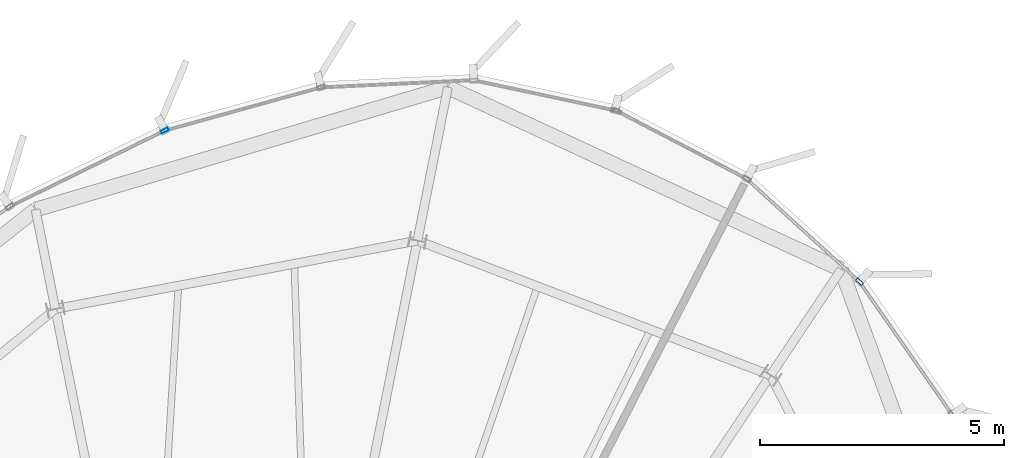
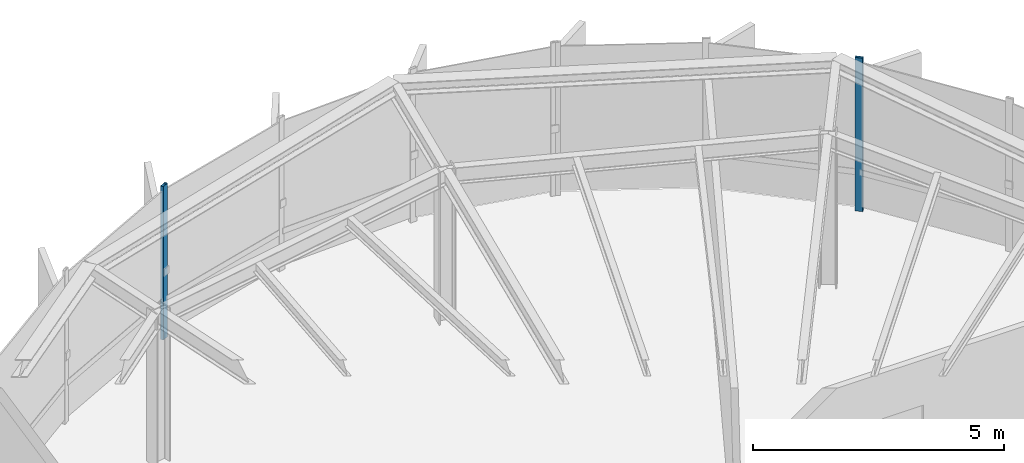
# One storey, part 17 of 26: 2 members, 2 elements without a shape of their own.
"""IFC4 building model written with IfcOpenShell, lengths in metres."""

from ifc_helpers import new_model, si_unit, direction, frame, origin, origin_2d, place, context, subcontext, project, spatial, hollow_rectangle, extrude, source, transform, mapped, material, layer, layer_set, material_profile, profile_set, type_object, element, aggregate, save


model = new_model("IFC4")

# Units and contexts
model_context = context("Model", 3, precision=1e-05, world=origin(), true_north=direction((0.0, 1.0)))
body_context = subcontext(model_context, "Body", "Model", "MODEL_VIEW")
ifc_project = project(units=[si_unit("LENGTHUNIT", "METRE"), si_unit("AREAUNIT", "SQUARE_METRE"), si_unit("VOLUMEUNIT", "CUBIC_METRE"), si_unit("PLANEANGLEUNIT", "RADIAN"), si_unit("MASSUNIT", "GRAM", prefix="KILO"), si_unit("THERMODYNAMICTEMPERATUREUNIT", "KELVIN")], contexts=[model_context])

# Site, building, storey
site_placement = place(None, origin())
site = spatial("IfcSite", under=ifc_project, at=site_placement, CompositionType="ELEMENT")
building_placement = place(site_placement, origin())
building = spatial("IfcBuilding", under=site, at=building_placement, Name="Kethvar Cultural Tower", CompositionType="ELEMENT")
storey_placement = place(building_placement, frame((0.0, 0.0, 316.300048828125)))
storey = spatial("IfcBuildingStorey", under=building, at=storey_placement, Name="L84", CompositionType="ELEMENT", Elevation=316.300048828125)

# Curtain wall, member
ifc_material = material(Name="Aluminium 6063-T6", Category="aluminium")
ifc_layer = layer(ifc_material, 0.179931640625, Name="Aluminium 6063-T6", Category="aluminium")
ifc_layer_set = layer_set([ifc_layer], Name="Aluminium 6063-T6 (180 mm)")
curtain_wall_type = type_object("IfcCurtainWallType", Name="CW-SYS-06-CROWN", PredefinedType="NOTDEFINED", material=ifc_layer_set)
curtain_wall_1_placement = place(storey_placement, origin())
curtain_wall_1 = element("IfcCurtainWall", 1, at=curtain_wall_1_placement, inside=storey, type_object=curtain_wall_type, Name="L84 Curtain Wall Run 01", PredefinedType="NOTDEFINED")
ifc_material_profile = material_profile(ifc_material, hollow_rectangle(XDim=0.06494140625, YDim=0.159912109375, WallThickness=0.0048828125, at=origin_2d()), Name="Aluminium 6063-T6 — RHS160x65x5")
ifc_profile_set = profile_set([ifc_material_profile], Name="Aluminium 6063-T6 — RHS160x65x5")
member_type = type_object("IfcMemberType", Name="CW-SYS-06-CROWN-MUL", PredefinedType="MULLION", material=ifc_profile_set)
shared_shape = source(origin(), body_context, "Body", "SweptSolid", [
    extrude(hollow_rectangle(XDim=0.06494140625, YDim=0.159912109375, WallThickness=0.0048828125, at=origin_2d()), origin(), (0.0, 0.0, 1.0), 3.73486328125),
])
member_1_placement = place(storey_placement, frame((45.473388671875, 49.384765625, 0.0), z_axis=(0.0, 0.0, 1.0), x_axis=(0.440550335873, -0.897727910651, 0.0)))
member_1 = element("IfcMember", 2, at=member_1_placement, type_object=member_type, Name="CW-L84-R01 Mullion 4", PredefinedType="MULLION", context=body_context, shape_type="MappedRepresentation", body=[
    mapped(shared_shape, transform((0.0, 0.0, 0.0), scale=1.0)),
])
aggregate(curtain_wall_1, [member_1])

curtain_wall_2_placement = place(storey_placement, origin())
curtain_wall_2 = element("IfcCurtainWall", 3, at=curtain_wall_2_placement, inside=storey, type_object=curtain_wall_type, Name="L84 Curtain Wall Run 06", PredefinedType="NOTDEFINED")
member_2_placement = place(storey_placement, frame((59.694091796875, 46.29052734375, 0.0), z_axis=(0.0, 0.0, 1.0), x_axis=(-0.67325774746, -0.739407874914, 0.0)))
member_2 = element("IfcMember", 4, at=member_2_placement, type_object=member_type, Name="CW-L84-R06 Mullion 5", PredefinedType="MULLION", context=body_context, shape_type="MappedRepresentation", body=[
    mapped(shared_shape, transform((0.0, 0.0, 0.0), scale=1.0)),
])
aggregate(curtain_wall_2, [member_2])

save(model, "model.ifc")
